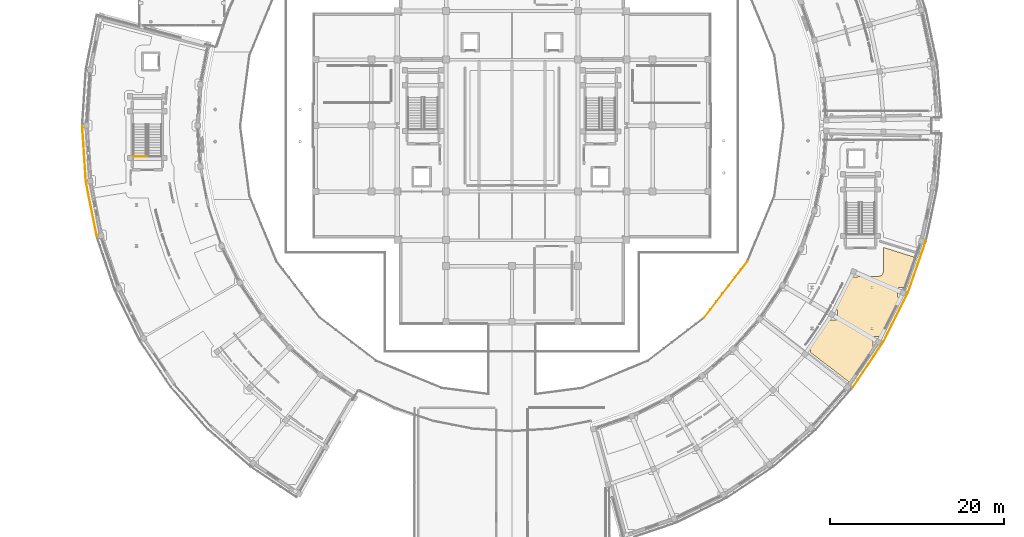
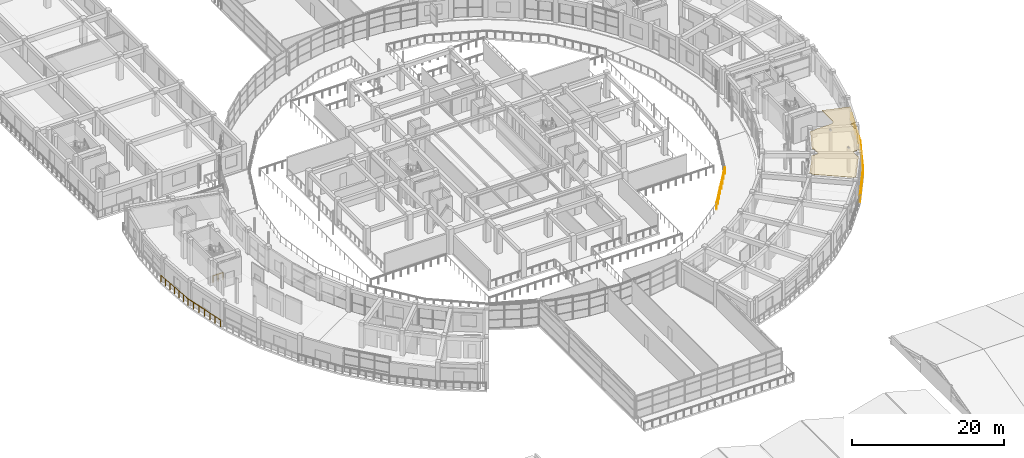
# One storey, part 70 of 83: 7 railings, 1 covering.
"""IFC4 building model written with IfcOpenShell, lengths in metres."""

from ifc_helpers import new_model, si_unit, direction, frame, origin, origin_2d, place, context, subcontext, project, spatial, polyline, rectangle, outline, extrude, material, layer, layer_set, type_object, element, save


model = new_model("IFC4")

# Units and contexts
model_context = context("Model", 3, precision=1e-05, world=origin(), true_north=direction((0.0, 1.0)))
body_context = subcontext(model_context, "Body", "Model", "MODEL_VIEW")
ifc_project = project(units=[si_unit("LENGTHUNIT", "METRE"), si_unit("AREAUNIT", "SQUARE_METRE"), si_unit("VOLUMEUNIT", "CUBIC_METRE"), si_unit("PLANEANGLEUNIT", "RADIAN"), si_unit("MASSUNIT", "GRAM", prefix="KILO")], contexts=[model_context])

# Site, building, storey
site_placement = place(None, origin())
site = spatial("IfcSite", under=ifc_project, at=site_placement, CompositionType="ELEMENT")
building_placement = place(site_placement, origin())
building = spatial("IfcBuilding", under=site, at=building_placement, Name="Saryqyr Civic Hall", CompositionType="ELEMENT")
storey_placement = place(building_placement, frame((0.0, 0.0, 9.14990234375)))
storey = spatial("IfcBuildingStorey", under=building, at=storey_placement, Name="L02", CompositionType="ELEMENT", Elevation=9.14990234375)

# Covering
ifc_material_1 = material(Name="Mineral-fibre acoustic ceiling tile", Category="acoustic_tile")
ifc_layer_1 = layer(ifc_material_1, 0.06005859375, Name="Mineral-fibre acoustic ceiling tile")
ifc_layer_set_1 = layer_set([ifc_layer_1], Name="Mineral-fibre acoustic ceiling tile")
covering_type = type_object("IfcCoveringType", Name="INT-COV-CEIL-60", PredefinedType="CEILING", material=ifc_layer_set_1)
covering_placement = place(storey_placement, frame((0.0, 0.0, 3.72998046875)))
element("IfcCovering", 1, at=covering_placement, inside=storey, type_object=covering_type, Name="Acoustic ceiling Public Health & Social Care Directorate", PredefinedType="CEILING", context=body_context, shape_type="SweptSolid", body=[
    extrude(outline(polyline([(91.368408203125, 58.04443359375), (91.3671875, 58.06884765625), (91.363525390625, 58.09326171875), (91.357666015625, 58.116943359375), (91.349365234375, 58.14013671875), (91.3388671875, 58.162109375), (91.326416015625, 58.183349609375), (91.311767578125, 58.202880859375), (91.295166015625, 58.22119140625), (91.277099609375, 58.23779296875), (91.25732421875, 58.252197265625), (91.236083984375, 58.264892578125), (91.214111328125, 58.275390625), (91.19091796875, 58.28369140625), (91.167236328125, 58.28955078125), (91.155517578125, 58.291259765625), (92.805419921875, 60.643798828125), (92.825927734375, 60.67529296875), (93.3935546875, 61.614990234375), (93.398681640625, 61.613037109375), (93.42236328125, 61.607177734375), (93.44677734375, 61.603515625), (93.47119140625, 61.602294921875), (94.231201171875, 61.602294921875), (94.255615234375, 61.603515625), (94.280029296875, 61.607177734375), (94.3037109375, 61.613037109375), (94.326904296875, 61.621337890625), (94.34912109375, 61.6318359375), (94.3701171875, 61.644287109375), (94.389892578125, 61.658935546875), (94.407958984375, 61.675537109375), (94.424560546875, 61.693603515625), (94.439208984375, 61.71337890625), (94.45166015625, 61.734619140625), (94.462158203125, 61.756591796875), (94.470458984375, 61.77978515625), (94.476318359375, 61.803466796875), (94.47998046875, 61.827880859375), (94.481201171875, 61.852294921875), (94.481201171875, 62.6123046875), (94.47998046875, 62.63671875), (94.476318359375, 62.6611328125), (94.470458984375, 62.684814453125), (94.462158203125, 62.7080078125), (94.45166015625, 62.72998046875), (94.439208984375, 62.751220703125), (94.424560546875, 62.77099609375), (94.407958984375, 62.7890625), (94.389892578125, 62.8056640625), (94.3701171875, 62.8203125), (94.34912109375, 62.832763671875), (94.326904296875, 62.84326171875), (94.3037109375, 62.8515625), (94.280029296875, 62.857421875), (94.255615234375, 62.861083984375), (94.231201171875, 62.8623046875), (94.147216796875, 62.8623046875), (94.3134765625, 63.1376953125), (94.331787109375, 63.17041015625), (95.648193359375, 65.728271484375), (95.6640625, 65.76220703125), (95.99658203125, 66.533203125), (96.729248046875, 66.533203125), (96.75390625, 66.534423828125), (96.778076171875, 66.5380859375), (96.802001953125, 66.544189453125), (96.824951171875, 66.55224609375), (96.84716796875, 66.562744140625), (96.8681640625, 66.575439453125), (96.887939453125, 66.590087890625), (96.906005859375, 66.6064453125), (96.922607421875, 66.624755859375), (96.9287109375, 66.633056640625), (99.218017578125, 66.638916015625), (99.271728515625, 66.6416015625), (99.324951171875, 66.649658203125), (99.377197265625, 66.662841796875), (99.427978515625, 66.68115234375), (99.4765625, 66.7041015625), (99.522705078125, 66.73193359375), (99.56591796875, 66.76416015625), (99.605712890625, 66.80029296875), (99.641845703125, 66.840087890625), (99.674072265625, 66.88330078125), (99.70166015625, 66.9296875), (99.724609375, 66.978271484375), (99.742919921875, 67.029052734375), (99.756103515625, 67.081298828125), (99.763916015625, 67.134521484375), (99.7666015625, 67.188232421875), (99.769775390625, 69.966796875), (103.45703125, 68.806884765625), (102.419677734375, 65.831787109375), (102.2138671875, 65.3544921875), (101.66943359375, 65.3544921875), (101.64501953125, 65.353271484375), (101.62060546875, 65.349609375), (101.5966796875, 65.343505859375), (101.57373046875, 65.33544921875), (101.551513671875, 65.324951171875), (101.530517578125, 65.312255859375), (101.5107421875, 65.297607421875), (101.49267578125, 65.28125), (101.47607421875, 65.262939453125), (101.46142578125, 65.243408203125), (101.448974609375, 65.22216796875), (101.4384765625, 65.2001953125), (101.43017578125, 65.177001953125), (101.42431640625, 65.1533203125), (101.420654296875, 65.12890625), (101.41943359375, 65.1044921875), (101.41943359375, 64.344482421875), (101.420654296875, 64.31982421875), (101.42431640625, 64.295654296875), (101.43017578125, 64.271728515625), (101.4384765625, 64.248779296875), (101.448974609375, 64.2265625), (101.46142578125, 64.20556640625), (101.47607421875, 64.185791015625), (101.49267578125, 64.16748046875), (101.5107421875, 64.151123046875), (101.530517578125, 64.136474609375), (101.551513671875, 64.123779296875), (101.57373046875, 64.11328125), (101.5966796875, 64.105224609375), (101.62060546875, 64.09912109375), (101.64501953125, 64.095703125), (101.66943359375, 64.094482421875), (101.67041015625, 64.094482421875), (101.589599609375, 63.90673828125), (99.6650390625, 60.052490234375), (99.45751953125, 59.708984375), (98.809326171875, 59.708984375), (98.784912109375, 59.7080078125), (98.760498046875, 59.704345703125), (98.73681640625, 59.6982421875), (98.713623046875, 59.690185546875), (98.691650390625, 59.6796875), (98.67041015625, 59.6669921875), (98.65087890625, 59.65234375), (98.632568359375, 59.635986328125), (98.6162109375, 59.61767578125), (98.6015625, 59.597900390625), (98.5888671875, 59.576904296875), (98.578369140625, 59.5546875), (98.5703125, 59.53173828125), (98.564208984375, 59.5078125), (98.560546875, 59.483642578125), (98.559326171875, 59.458984375), (98.559326171875, 58.69921875), (98.560546875, 58.674560546875), (98.564208984375, 58.650390625), (98.5703125, 58.62646484375), (98.578369140625, 58.603515625), (98.5888671875, 58.581298828125), (98.6015625, 58.560302734375), (98.6162109375, 58.54052734375), (98.632568359375, 58.522216796875), (98.65087890625, 58.505859375), (98.67041015625, 58.4912109375), (98.691650390625, 58.478515625), (98.708984375, 58.47021484375), (98.6103515625, 58.306884765625), (96.447021484375, 55.08056640625), (96.077880859375, 54.554443359375), (96.016845703125, 54.47900390625), (96.005615234375, 54.4794921875), (95.800537109375, 54.4794921875), (91.368408203125, 57.88037109375), (91.368408203125, 58.04443359375)])), origin(), (0.0, 0.0, 1.0), 0.06005859375),
])

# Railings
ifc_material_2 = material(Name="Warm brushed brass and laminated glass", Category="glass")
ifc_layer_2 = layer(ifc_material_2, 0.06005859375, Name="Warm brushed brass and laminated glass")
ifc_layer_set_2 = layer_set([ifc_layer_2], Name="Warm brushed brass and laminated glass")
railing_type = type_object("IfcRailingType", Name="INT-RLG-BAL-1100", PredefinedType="BALUSTRADE", material=ifc_layer_set_2)
railing_1_placement = place(storey_placement, frame((9.18701171875, 71.1884765625, 0.0)))
element("IfcRailing", 2, at=railing_1_placement, inside=storey, type_object=railing_type, Name="Interior deck safety balustrade L02-009", PredefinedType="BALUSTRADE", context=body_context, shape_type="SweptSolid", body=[
    extrude(rectangle(XDim=0.048095703125, YDim=0.048095703125, at=origin_2d()), frame((0.0, 0.0, 1.09619140625), z_axis=(-0.195122656431, 0.980778848134, 0.0), x_axis=(-0.980778848134, -0.195122656431, 0.0)), (0.0, 0.0, 1.0), 6.47509765625),
    extrude(rectangle(XDim=0.0419921875, YDim=0.0419921875, at=origin_2d()), origin(), (0.0, 0.0, 1.0), 1.072021484375),
    extrude(rectangle(XDim=0.0419921875, YDim=0.0419921875, at=origin_2d()), frame((-0.21044921875, 1.058349609375, 0.0)), (0.0, 0.0, 1.0), 1.072021484375),
    extrude(rectangle(XDim=0.0419921875, YDim=0.0419921875, at=origin_2d()), frame((-0.421142578125, 2.116943359375, 0.0)), (0.0, 0.0, 1.0), 1.072021484375),
    extrude(rectangle(XDim=0.0419921875, YDim=0.0419921875, at=origin_2d()), frame((-0.6318359375, 3.17529296875, 0.0)), (0.0, 0.0, 1.0), 1.072021484375),
    extrude(rectangle(XDim=0.0419921875, YDim=0.0419921875, at=origin_2d()), frame((-0.84228515625, 4.233642578125, 0.0)), (0.0, 0.0, 1.0), 1.072021484375),
    extrude(rectangle(XDim=0.0419921875, YDim=0.0419921875, at=origin_2d()), frame((-1.052734375, 5.292236328125, 0.0)), (0.0, 0.0, 1.0), 1.072021484375),
    extrude(rectangle(XDim=0.0419921875, YDim=0.0419921875, at=origin_2d()), frame((-1.263427734375, 6.3505859375, 0.0)), (0.0, 0.0, 1.0), 1.072021484375),
])
railing_2_placement = place(storey_placement, frame((7.923583984375, 77.5390625, 0.0)))
element("IfcRailing", 3, at=railing_2_placement, inside=storey, type_object=railing_type, Name="Interior deck safety balustrade L02-010", PredefinedType="BALUSTRADE", context=body_context, shape_type="SweptSolid", body=[
    extrude(rectangle(XDim=0.048095703125, YDim=0.048095703125, at=origin_2d()), frame((0.0, 0.0, 1.09619140625), z_axis=(-0.0653827723, 0.997860257294, 0.0), x_axis=(-0.997860257294, -0.0653827723, 0.0)), (0.0, 0.0, 1.0), 6.474853515625),
    extrude(rectangle(XDim=0.0419921875, YDim=0.0419921875, at=origin_2d()), origin(), (0.0, 0.0, 1.0), 1.072021484375),
    extrude(rectangle(XDim=0.0419921875, YDim=0.0419921875, at=origin_2d()), frame((-0.070556640625, 1.076904296875, 0.0)), (0.0, 0.0, 1.0), 1.072021484375),
    extrude(rectangle(XDim=0.0419921875, YDim=0.0419921875, at=origin_2d()), frame((-0.14111328125, 2.153564453125, 0.0)), (0.0, 0.0, 1.0), 1.072021484375),
    extrude(rectangle(XDim=0.0419921875, YDim=0.0419921875, at=origin_2d()), frame((-0.211669921875, 3.23046875, 0.0)), (0.0, 0.0, 1.0), 1.072021484375),
    extrude(rectangle(XDim=0.0419921875, YDim=0.0419921875, at=origin_2d()), frame((-0.2822265625, 4.307373046875, 0.0)), (0.0, 0.0, 1.0), 1.072021484375),
    extrude(rectangle(XDim=0.0419921875, YDim=0.0419921875, at=origin_2d()), frame((-0.352783203125, 5.384033203125, 0.0)), (0.0, 0.0, 1.0), 1.072021484375),
    extrude(rectangle(XDim=0.0419921875, YDim=0.0419921875, at=origin_2d()), frame((-0.42333984375, 6.4609375, 0.0)), (0.0, 0.0, 1.0), 1.072021484375),
])
railing_3_placement = place(storey_placement, frame((104.683349609375, 70.71337890625, 0.0)))
element("IfcRailing", 4, at=railing_3_placement, inside=storey, type_object=railing_type, Name="Interior deck safety balustrade L02-039", PredefinedType="BALUSTRADE", context=body_context, shape_type="SweptSolid", body=[
    extrude(rectangle(XDim=0.048095703125, YDim=0.048095703125, at=origin_2d()), frame((0.0, 0.0, 1.09619140625), z_axis=(-0.329288741156, -0.944229275625, 0.0), x_axis=(0.944229275625, -0.329288741156, 0.0)), (0.0, 0.0, 1.0), 6.31103515625),
    extrude(rectangle(XDim=0.0419921875, YDim=0.0419921875, at=origin_2d()), origin(), (0.0, 0.0, 1.0), 1.072021484375),
    extrude(rectangle(XDim=0.0419921875, YDim=0.0419921875, at=origin_2d()), frame((-0.346435546875, -0.9931640625, 0.0)), (0.0, 0.0, 1.0), 1.072021484375),
    extrude(rectangle(XDim=0.0419921875, YDim=0.0419921875, at=origin_2d()), frame((-0.692626953125, -1.986328125, 0.0)), (0.0, 0.0, 1.0), 1.072021484375),
    extrude(rectangle(XDim=0.0419921875, YDim=0.0419921875, at=origin_2d()), frame((-1.0390625, -2.9794921875, 0.0)), (0.0, 0.0, 1.0), 1.072021484375),
    extrude(rectangle(XDim=0.0419921875, YDim=0.0419921875, at=origin_2d()), frame((-1.385498046875, -3.97265625, 0.0)), (0.0, 0.0, 1.0), 1.072021484375),
    extrude(rectangle(XDim=0.0419921875, YDim=0.0419921875, at=origin_2d()), frame((-1.731689453125, -4.9658203125, 0.0)), (0.0, 0.0, 1.0), 1.072021484375),
    extrude(rectangle(XDim=0.0419921875, YDim=0.0419921875, at=origin_2d()), frame((-2.078125, -5.958984375, 0.0)), (0.0, 0.0, 1.0), 1.072021484375),
])
railing_4_placement = place(storey_placement, frame((102.605224609375, 64.75439453125, 0.0)))
element("IfcRailing", 5, at=railing_4_placement, inside=storey, type_object=railing_type, Name="Interior deck safety balustrade L02-040", PredefinedType="BALUSTRADE", context=body_context, shape_type="SweptSolid", body=[
    extrude(rectangle(XDim=0.048095703125, YDim=0.048095703125, at=origin_2d()), frame((0.0, 0.0, 1.09619140625), z_axis=(-0.446733837766, -0.894666909076, 0.0), x_axis=(0.894666909076, -0.446733837766, 0.0)), (0.0, 0.0, 1.0), 6.31103515625),
    extrude(rectangle(XDim=0.0419921875, YDim=0.0419921875, at=origin_2d()), origin(), (0.0, 0.0, 1.0), 1.072021484375),
    extrude(rectangle(XDim=0.0419921875, YDim=0.0419921875, at=origin_2d()), frame((-0.469970703125, -0.94091796875, 0.0)), (0.0, 0.0, 1.0), 1.072021484375),
    extrude(rectangle(XDim=0.0419921875, YDim=0.0419921875, at=origin_2d()), frame((-0.939697265625, -1.882080078125, 0.0)), (0.0, 0.0, 1.0), 1.072021484375),
    extrude(rectangle(XDim=0.0419921875, YDim=0.0419921875, at=origin_2d()), frame((-1.40966796875, -2.8232421875, 0.0)), (0.0, 0.0, 1.0), 1.072021484375),
    extrude(rectangle(XDim=0.0419921875, YDim=0.0419921875, at=origin_2d()), frame((-1.879638671875, -3.76416015625, 0.0)), (0.0, 0.0, 1.0), 1.072021484375),
    extrude(rectangle(XDim=0.0419921875, YDim=0.0419921875, at=origin_2d()), frame((-2.349365234375, -4.705078125, 0.0)), (0.0, 0.0, 1.0), 1.072021484375),
    extrude(rectangle(XDim=0.0419921875, YDim=0.0419921875, at=origin_2d()), frame((-2.8193359375, -5.646240234375, 0.0)), (0.0, 0.0, 1.0), 1.072021484375),
])
railing_5_placement = place(storey_placement, frame((99.785888671875, 59.108154296875, 0.0)))
element("IfcRailing", 6, at=railing_5_placement, inside=storey, type_object=railing_type, Name="Interior deck safety balustrade L02-041", PredefinedType="BALUSTRADE", context=body_context, shape_type="SweptSolid", body=[
    extrude(rectangle(XDim=0.048095703125, YDim=0.048095703125, at=origin_2d()), frame((0.0, 0.0, 1.09619140625), z_axis=(-0.556965587004, -0.830535571119, 0.0), x_axis=(0.830535571119, -0.556965587004, 0.0)), (0.0, 0.0, 1.0), 6.311279296875),
    extrude(rectangle(XDim=0.0419921875, YDim=0.0419921875, at=origin_2d()), origin(), (0.0, 0.0, 1.0), 1.072021484375),
    extrude(rectangle(XDim=0.0419921875, YDim=0.0419921875, at=origin_2d()), frame((-0.5859375, -0.87353515625, 0.0)), (0.0, 0.0, 1.0), 1.072021484375),
    extrude(rectangle(XDim=0.0419921875, YDim=0.0419921875, at=origin_2d()), frame((-1.171630859375, -1.747314453125, 0.0)), (0.0, 0.0, 1.0), 1.072021484375),
    extrude(rectangle(XDim=0.0419921875, YDim=0.0419921875, at=origin_2d()), frame((-1.757568359375, -2.620849609375, 0.0)), (0.0, 0.0, 1.0), 1.072021484375),
    extrude(rectangle(XDim=0.0419921875, YDim=0.0419921875, at=origin_2d()), frame((-2.343505859375, -3.494384765625, 0.0)), (0.0, 0.0, 1.0), 1.072021484375),
    extrude(rectangle(XDim=0.0419921875, YDim=0.0419921875, at=origin_2d()), frame((-2.92919921875, -4.3681640625, 0.0)), (0.0, 0.0, 1.0), 1.072021484375),
    extrude(rectangle(XDim=0.0419921875, YDim=0.0419921875, at=origin_2d()), frame((-3.51513671875, -5.24169921875, 0.0)), (0.0, 0.0, 1.0), 1.072021484375),
])
railing_6_placement = place(storey_placement, frame((79.133056640625, 61.866943359375, 0.0)))
element("IfcRailing", 7, at=railing_6_placement, inside=storey, type_object=railing_type, Name="Interior deck safety balustrade L02-063", PredefinedType="BALUSTRADE", context=body_context, shape_type="SweptSolid", body=[
    extrude(rectangle(XDim=0.048095703125, YDim=0.048095703125, at=origin_2d()), frame((0.0, 0.0, 1.09619140625), z_axis=(0.608764559899, 0.793350937865, 0.0), x_axis=(-0.793350937865, 0.608764559899, 0.0)), (0.0, 0.0, 1.0), 8.171142578125),
    extrude(rectangle(XDim=0.0419921875, YDim=0.0419921875, at=origin_2d()), origin(), (0.0, 0.0, 1.0), 1.072021484375),
    extrude(rectangle(XDim=0.0419921875, YDim=0.0419921875, at=origin_2d()), frame((0.710693359375, 0.926025390625, 0.0)), (0.0, 0.0, 1.0), 1.072021484375),
    extrude(rectangle(XDim=0.0419921875, YDim=0.0419921875, at=origin_2d()), frame((1.421142578125, 1.852294921875, 0.0)), (0.0, 0.0, 1.0), 1.072021484375),
    extrude(rectangle(XDim=0.0419921875, YDim=0.0419921875, at=origin_2d()), frame((2.1318359375, 2.7783203125, 0.0)), (0.0, 0.0, 1.0), 1.072021484375),
    extrude(rectangle(XDim=0.0419921875, YDim=0.0419921875, at=origin_2d()), frame((2.842529296875, 3.704345703125, 0.0)), (0.0, 0.0, 1.0), 1.072021484375),
    extrude(rectangle(XDim=0.0419921875, YDim=0.0419921875, at=origin_2d()), frame((3.55322265625, 4.63037109375, 0.0)), (0.0, 0.0, 1.0), 1.072021484375),
    extrude(rectangle(XDim=0.0419921875, YDim=0.0419921875, at=origin_2d()), frame((4.263671875, 5.556640625, 0.0)), (0.0, 0.0, 1.0), 1.072021484375),
    extrude(rectangle(XDim=0.0419921875, YDim=0.0419921875, at=origin_2d()), frame((4.974365234375, 6.482666015625, 0.0)), (0.0, 0.0, 1.0), 1.072021484375),
])
railing_7_placement = place(storey_placement, frame((13.39501953125, 80.449951171875, 0.0)))
element("IfcRailing", 8, at=railing_7_placement, inside=storey, type_object=railing_type, Name="Interior deck safety balustrade L02-103", PredefinedType="BALUSTRADE", context=body_context, shape_type="SweptSolid", body=[
    extrude(rectangle(XDim=0.048095703125, YDim=0.048095703125, at=origin_2d()), frame((0.0, 0.0, 1.09619140625), z_axis=(1.0, 0.0, 0.0), x_axis=(0.0, 1.0, 0.0)), (0.0, 0.0, 1.0), 1.5048828125),
    extrude(rectangle(XDim=0.0419921875, YDim=0.0419921875, at=origin_2d()), origin(), (0.0, 0.0, 1.0), 1.072021484375),
    extrude(rectangle(XDim=0.0419921875, YDim=0.0419921875, at=origin_2d()), frame((0.75244140625, 0.0, 0.0)), (0.0, 0.0, 1.0), 1.072021484375),
    extrude(rectangle(XDim=0.0419921875, YDim=0.0419921875, at=origin_2d()), frame((1.5048828125, 0.0, 0.0)), (0.0, 0.0, 1.0), 1.072021484375),
])

save(model, "model.ifc")
